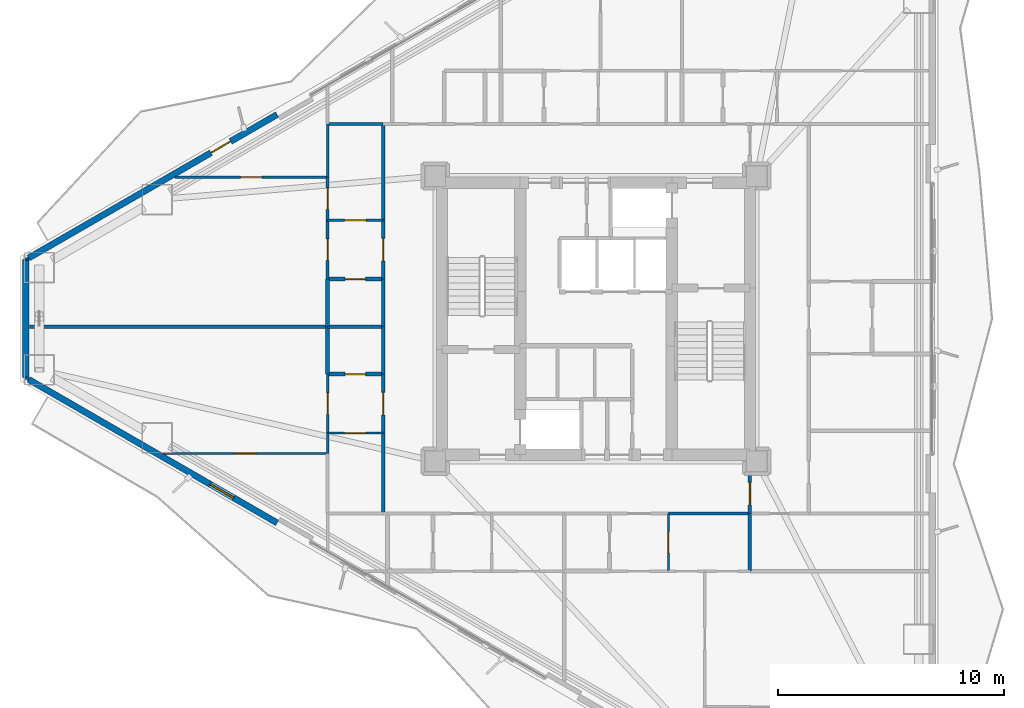
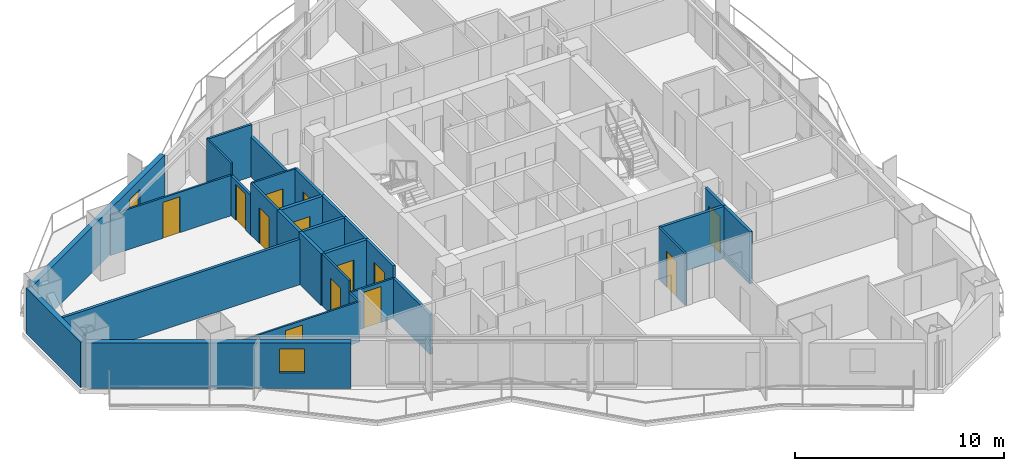
# One storey, part 12 of 18: 31 walls, 14 doors, 1 window, 15 openings.
"""IFC4 building model written with IfcOpenShell, lengths in metres."""

from ifc_helpers import new_model, si_unit, direction, frame, frame_2d, origin, place, context, subcontext, project, spatial, rectangle, extrude, material, layer, layer_set, type_object, element, fill, save


model = new_model("IFC4")

# Units and contexts
model_context = context("Model", 3, precision=1e-05, world=origin(), true_north=direction((0.0, 1.0)))
body_context = subcontext(model_context, "Body", "Model", "MODEL_VIEW")
ifc_project = project(units=[si_unit("LENGTHUNIT", "METRE"), si_unit("AREAUNIT", "SQUARE_METRE"), si_unit("VOLUMEUNIT", "CUBIC_METRE"), si_unit("PLANEANGLEUNIT", "RADIAN"), si_unit("MASSUNIT", "GRAM", prefix="KILO")], contexts=[model_context])

# Site, building, storey
site_placement = place(None, origin())
site = spatial("IfcSite", under=ifc_project, at=site_placement, CompositionType="ELEMENT")
building_placement = place(site_placement, origin())
building = spatial("IfcBuilding", under=site, at=building_placement, Name="Mersakhor Tower and Convention Hall", CompositionType="ELEMENT")
storey_placement = place(building_placement, frame((0.0, 0.0, 55.5)))
storey = spatial("IfcBuildingStorey", under=building, at=storey_placement, Name="L15", CompositionType="ELEMENT", Elevation=55.5)

# Wall
ifc_material_1 = material(Name="Precast concrete C45/55", Category="concrete")
ifc_layer_1 = layer(ifc_material_1, 0.27490234375)
ifc_layer_set_1 = layer_set([ifc_layer_1], Name="Precast concrete C45/55")
wall_type_1 = type_object("IfcWallType", Name="WL-EXT-275", PredefinedType="SOLIDWALL", material=ifc_layer_set_1)
wall_1_placement = place(storey_placement, frame((3.81298828125, 24.144287109375, 0.0), z_axis=(0.0, 0.0, 1.0), x_axis=(0.0, 1.0, 0.0)))
element("IfcWall", 1, at=wall_1_placement, inside=storey, type_object=wall_type_1, Name="L15 Chamfer Braced Spandrel Wall C3", PredefinedType="SOLIDWALL", context=body_context, shape_type="SweptSolid", body=[
    extrude(rectangle(XDim=5.21142578125, YDim=0.27490234375, at=frame_2d((2.605712890625, 0.0))), origin(), (0.0, 0.0, 1.0), 2.659912109375),
])

# Wall, opening, door
wall_2_placement = place(storey_placement, frame((3.943115234375, 29.4306640625, 0.0), z_axis=(0.0, 0.0, 1.0), x_axis=(0.866027105532, 0.499997052475, 0.0)))
wall_2 = element("IfcWall", 2, at=wall_2_placement, inside=storey, type_object=wall_type_1, Name="L15 Exterior Facade Wall F1-B1", PredefinedType="SOLIDWALL", context=body_context, shape_type="SweptSolid", body=[
    extrude(rectangle(XDim=12.6728515625, YDim=0.27490234375, at=frame_2d((6.33642578125, 0.0))), origin(), (0.0, 0.0, 1.0), 2.659912109375),
])
opening_1_placement = place(wall_2_placement, frame((9.298095703125, 0.0, 0.0)))
opening_1 = element("IfcOpeningElement", 3, at=opening_1_placement, cuts=wall_2, Name="Opening BD-01", PredefinedType="OPENING", context=body_context, shape_type="SweptSolid", body=[
    extrude(rectangle(XDim=1.0, YDim=2.10009765625, at=frame_2d((0.5, 1.050048828125))), frame((0.0, 0.1474609375, 0.0), z_axis=(0.0, -1.0, 0.0), x_axis=(1.0, 0.0, 0.0)), (0.0, 0.0, 1.0), 0.294921875),
])
ifc_material_2 = material(Name="Thermally broken dark aluminium and safety glass", Category="aluminium")
door_type_1 = type_object("IfcDoorType", Name="DR-BAL-100x210", OperationType="NOTDEFINED", PredefinedType="DOOR", material=ifc_material_2)
door_1_placement = place(opening_1_placement, origin())
door_1 = element("IfcDoor", 4, at=door_1_placement, inside=storey, type_object=door_type_1, Name="L15 Balcony Terrace Door F1-B1", OperationType="SINGLE_SWING_LEFT", OverallHeight=2.10009765625, OverallWidth=1.0, PredefinedType="DOOR", context=body_context, shape_type="SweptSolid", body=[
    extrude(rectangle(XDim=1.0, YDim=2.10009765625, at=frame_2d((0.5, 1.050048828125))), frame((0.0, 0.02490234375, 0.0), z_axis=(0.0, -1.0, 0.0), x_axis=(1.0, 0.0, 0.0)), (0.0, 0.0, 1.0), 0.050048828125),
])
fill(opening_1, door_1)

# Wall, opening, window
wall_3_placement = place(storey_placement, frame((14.918212890625, 17.73291015625, 0.0), z_axis=(0.0, 0.0, 1.0), x_axis=(-0.866027105532, 0.499997052475, 0.0)))
wall_3 = element("IfcWall", 5, at=wall_3_placement, inside=storey, type_object=wall_type_1, Name="L15 Exterior Facade Wall F3-B3", PredefinedType="SOLIDWALL", context=body_context, shape_type="SweptSolid", body=[
    extrude(rectangle(XDim=12.6728515625, YDim=0.27490234375, at=frame_2d((6.33642578125, 0.0))), origin(), (0.0, 0.0, 1.0), 2.659912109375),
])
opening_2_placement = place(wall_3_placement, frame((2.216064453125, 0.0, 0.89990234375)))
opening_2 = element("IfcOpeningElement", 6, at=opening_2_placement, cuts=wall_3, Name="Opening W-01", PredefinedType="OPENING", context=body_context, shape_type="SweptSolid", body=[
    extrude(rectangle(XDim=1.199951171875, YDim=1.39990234375, at=frame_2d((0.60009765625, 0.699951171875))), frame((0.0, 0.1474609375, 0.0), z_axis=(0.0, -1.0, 0.0), x_axis=(1.0, 0.0, 0.0)), (0.0, 0.0, 1.0), 0.294921875),
])
ifc_material_3 = material(Name="Dark solar low-E glazed aluminium window", Category="aluminium")
window_type = type_object("IfcWindowType", Name="WN-RES-120x150", PartitioningType="SINGLE_PANEL", PredefinedType="WINDOW", material=ifc_material_3)
window_placement = place(opening_2_placement, origin())
window = element("IfcWindow", 7, at=window_placement, inside=storey, type_object=window_type, Name="L15 Bedroom Facade Window F3-B3-1", OverallHeight=1.39990234375, OverallWidth=1.199951171875, PartitioningType="SINGLE_PANEL", PredefinedType="WINDOW", context=body_context, shape_type="SweptSolid", body=[
    extrude(rectangle(XDim=1.199951171875, YDim=1.39990234375, at=frame_2d((0.60009765625, 0.699951171875))), frame((0.0, 0.030029296875, 0.0), z_axis=(0.0, -1.0, 0.0), x_axis=(1.0, 0.0, 0.0)), (0.0, 0.0, 1.0), 0.06005859375),
])
fill(opening_2, window)

# Wall, opening, door
ifc_material_4 = material(Name="Moisture-resistant acoustic drywall studwork", Category="other")
ifc_layer_2 = layer(ifc_material_4, 0.175048828125)
ifc_layer_set_2 = layer_set([ifc_layer_2], Name="Moisture-resistant acoustic drywall studwork")
wall_type_2 = type_object("IfcWallType", Name="WL-PLM-175", PredefinedType="PLUMBINGWALL", material=ifc_layer_set_2)
wall_4_placement = place(storey_placement, frame((19.60009765625, 28.5, 0.0), z_axis=(0.0, 0.0, 1.0), x_axis=(-1.0, 0.0, 0.0)))
wall_4 = element("IfcWall", 8, at=wall_4_placement, inside=storey, type_object=wall_type_2, Name="L15 Interior Partition Wall P-085", PredefinedType="PLUMBINGWALL", context=body_context, shape_type="SweptSolid", body=[
    extrude(rectangle(XDim=2.4501953125, YDim=0.175048828125, at=frame_2d((1.22509765625, 0.0))), origin(), (0.0, 0.0, 1.0), 3.0400390625),
])
opening_3_placement = place(wall_4_placement, frame((0.77490234375, 0.0, 0.0)))
opening_3 = element("IfcOpeningElement", 9, at=opening_3_placement, cuts=wall_4, Name="Opening WD-01", PredefinedType="OPENING", context=body_context, shape_type="SweptSolid", body=[
    extrude(rectangle(XDim=0.89990234375, YDim=2.10009765625, at=frame_2d((0.449951171875, 1.050048828125))), frame((0.0, 0.097412109375, 0.0), z_axis=(0.0, -1.0, 0.0), x_axis=(1.0, 0.0, 0.0)), (0.0, 0.0, 1.0), 0.195068359375),
])
ifc_material_5 = material(Name="Solid-core hardwood leaf in painted steel frame", Category="steel")
door_type_2 = type_object("IfcDoorType", Name="DR-INT-WET-090x210", OperationType="NOTDEFINED", PredefinedType="DOOR", material=ifc_material_5)
door_2_placement = place(opening_3_placement, origin())
door_2 = element("IfcDoor", 10, at=door_2_placement, inside=storey, type_object=door_type_2, Name="L15 L15 Flat W6 Apartment Hall to L15 Flat W6 Bathroom Door", OperationType="SINGLE_SWING_RIGHT", OverallHeight=2.10009765625, OverallWidth=0.89990234375, PredefinedType="DOOR", context=body_context, shape_type="SweptSolid", body=[
    extrude(rectangle(XDim=0.89990234375, YDim=2.10009765625, at=frame_2d((0.449951171875, 1.050048828125))), frame((0.0, 0.02490234375, 0.0), z_axis=(0.0, -1.0, 0.0), x_axis=(1.0, 0.0, 0.0)), (0.0, 0.0, 1.0), 0.050048828125),
])
fill(opening_3, door_2)

wall_5_placement = place(storey_placement, frame((17.14990234375, 24.300048828125, 0.0), z_axis=(0.0, 0.0, 1.0), x_axis=(1.0, 0.0, 0.0)))
wall_5 = element("IfcWall", 11, at=wall_5_placement, inside=storey, type_object=wall_type_2, Name="L15 Interior Partition Wall P-087", PredefinedType="PLUMBINGWALL", context=body_context, shape_type="SweptSolid", body=[
    extrude(rectangle(XDim=2.4501953125, YDim=0.175048828125, at=frame_2d((1.22509765625, 0.0))), origin(), (0.0, 0.0, 1.0), 3.0400390625),
])
opening_4_placement = place(wall_5_placement, frame((0.77490234375, 0.0, 0.0)))
opening_4 = element("IfcOpeningElement", 12, at=opening_4_placement, cuts=wall_5, Name="Opening WD-01", PredefinedType="OPENING", context=body_context, shape_type="SweptSolid", body=[
    extrude(rectangle(XDim=0.89990234375, YDim=2.10009765625, at=frame_2d((0.449951171875, 1.050048828125))), frame((0.0, 0.097412109375, 0.0), z_axis=(0.0, -1.0, 0.0), x_axis=(1.0, 0.0, 0.0)), (0.0, 0.0, 1.0), 0.195068359375),
])
door_3_placement = place(opening_4_placement, origin())
door_3 = element("IfcDoor", 13, at=door_3_placement, inside=storey, type_object=door_type_2, Name="L15 L15 Flat W7 Apartment Hall to L15 Flat W7 Bathroom Door", OperationType="SINGLE_SWING_LEFT", OverallHeight=2.10009765625, OverallWidth=0.89990234375, PredefinedType="DOOR", context=body_context, shape_type="SweptSolid", body=[
    extrude(rectangle(XDim=0.89990234375, YDim=2.10009765625, at=frame_2d((0.449951171875, 1.050048828125))), frame((0.0, 0.02490234375, 0.0), z_axis=(0.0, -1.0, 0.0), x_axis=(1.0, 0.0, 0.0)), (0.0, 0.0, 1.0), 0.050048828125),
])
fill(opening_4, door_3)

# Walls
wall_6_placement = place(storey_placement, frame((17.14990234375, 26.39990234375, 0.0), z_axis=(0.0, 0.0, 1.0), x_axis=(0.0, 1.0, 0.0)))
element("IfcWall", 14, at=wall_6_placement, inside=storey, type_object=wall_type_2, Name="L15 Interior Partition Wall P-111", PredefinedType="PLUMBINGWALL", context=body_context, shape_type="SweptSolid", body=[
    extrude(rectangle(XDim=2.10009765625, YDim=0.175048828125, at=frame_2d((1.050048828125, 0.0))), origin(), (0.0, 0.0, 1.0), 3.0400390625),
])
wall_7_placement = place(storey_placement, frame((17.14990234375, 24.300048828125, 0.0), z_axis=(0.0, 0.0, 1.0), x_axis=(0.0, 1.0, 0.0)))
element("IfcWall", 15, at=wall_7_placement, inside=storey, type_object=wall_type_2, Name="L15 Interior Partition Wall P-116", PredefinedType="PLUMBINGWALL", context=body_context, shape_type="SweptSolid", body=[
    extrude(rectangle(XDim=2.099853515625, YDim=0.175048828125, at=frame_2d((1.0498046875, 0.0))), origin(), (0.0, 0.0, 1.0), 3.0400390625),
])

# Wall, opening, door
ifc_material_6 = material(Name="Lightweight gypsum partition", Category="other")
ifc_layer_3 = layer(ifc_material_6, 0.10009765625)
ifc_layer_set_3 = layer_set([ifc_layer_3], Name="Lightweight gypsum partition")
wall_type_3 = type_object("IfcWallType", Name="WL-PRT-100", PredefinedType="PARTITIONING", material=ifc_layer_set_3)
wall_8_placement = place(storey_placement, frame((32.199951171875, 18.14990234375, 0.0), z_axis=(0.0, 0.0, 1.0), x_axis=(0.0, -1.0, 0.0)))
wall_8 = element("IfcWall", 16, at=wall_8_placement, inside=storey, type_object=wall_type_3, Name="L15 Interior Partition Wall P-082", PredefinedType="PARTITIONING", context=body_context, shape_type="SweptSolid", body=[
    extrude(rectangle(XDim=2.5498046875, YDim=0.10009765625, at=frame_2d((1.27490234375, 0.0))), origin(), (0.0, 0.0, 1.0), 3.0400390625),
])
opening_5_placement = place(wall_8_placement, frame((0.800048828125, 0.0, 0.0)))
opening_5 = element("IfcOpeningElement", 17, at=opening_5_placement, cuts=wall_8, Name="Opening RD-01", PredefinedType="OPENING", context=body_context, shape_type="SweptSolid", body=[
    extrude(rectangle(XDim=0.949951171875, YDim=2.10009765625, at=frame_2d((0.47509765625, 1.050048828125))), frame((0.0, 0.06005859375, 0.0), z_axis=(0.0, -1.0, 0.0), x_axis=(1.0, 0.0, 0.0)), (0.0, 0.0, 1.0), 0.1201171875),
])
ifc_material_7 = material(Name="Solid-core hardwood leaf in painted steel frame", Category="steel")
door_type_3 = type_object("IfcDoorType", Name="DR-INT-RM-095x210", OperationType="NOTDEFINED", PredefinedType="DOOR", material=ifc_material_7)
door_4_placement = place(opening_5_placement, origin())
door_4 = element("IfcDoor", 18, at=door_4_placement, inside=storey, type_object=door_type_3, Name="L15 L15 Flat S5 Apartment Hall to L15 Flat S5 Kitchen Door", OperationType="SINGLE_SWING_RIGHT", OverallHeight=2.10009765625, OverallWidth=0.949951171875, PredefinedType="DOOR", context=body_context, shape_type="SweptSolid", body=[
    extrude(rectangle(XDim=0.949951171875, YDim=2.10009765625, at=frame_2d((0.47509765625, 1.050048828125))), frame((0.0, 0.02490234375, 0.0), z_axis=(0.0, -1.0, 0.0), x_axis=(1.0, 0.0, 0.0)), (0.0, 0.0, 1.0), 0.050048828125),
])
fill(opening_5, door_4)

wall_9_placement = place(storey_placement, frame((17.14990234375, 31.10009765625, 0.0), z_axis=(0.0, 0.0, 1.0), x_axis=(1.0, 0.0, 0.0)))
wall_9 = element("IfcWall", 19, at=wall_9_placement, inside=storey, type_object=wall_type_3, Name="L15 Interior Partition Wall P-084", PredefinedType="PARTITIONING", context=body_context, shape_type="SweptSolid", body=[
    extrude(rectangle(XDim=2.4501953125, YDim=0.10009765625, at=frame_2d((1.22509765625, 0.0))), origin(), (0.0, 0.0, 1.0), 3.0400390625),
])
opening_6_placement = place(wall_9_placement, frame((0.75, 0.0, 0.0)))
opening_6 = element("IfcOpeningElement", 20, at=opening_6_placement, cuts=wall_9, Name="Opening RD-01", PredefinedType="OPENING", context=body_context, shape_type="SweptSolid", body=[
    extrude(rectangle(XDim=0.949951171875, YDim=2.10009765625, at=frame_2d((0.47509765625, 1.050048828125))), frame((0.0, 0.06005859375, 0.0), z_axis=(0.0, -1.0, 0.0), x_axis=(1.0, 0.0, 0.0)), (0.0, 0.0, 1.0), 0.1201171875),
])
door_5_placement = place(opening_6_placement, origin())
door_5 = element("IfcDoor", 21, at=door_5_placement, inside=storey, type_object=door_type_3, Name="L15 L15 Flat W6 Apartment Hall to L15 Flat W6 Kitchen Door", OperationType="SINGLE_SWING_LEFT", OverallHeight=2.10009765625, OverallWidth=0.949951171875, PredefinedType="DOOR", context=body_context, shape_type="SweptSolid", body=[
    extrude(rectangle(XDim=0.949951171875, YDim=2.10009765625, at=frame_2d((0.47509765625, 1.050048828125))), frame((0.0, 0.02490234375, 0.0), z_axis=(0.0, -1.0, 0.0), x_axis=(1.0, 0.0, 0.0)), (0.0, 0.0, 1.0), 0.050048828125),
])
fill(opening_6, door_5)

wall_10_placement = place(storey_placement, frame((17.14990234375, 21.699951171875, 0.0), z_axis=(0.0, 0.0, 1.0), x_axis=(0.0, 1.0, 0.0)))
wall_10 = element("IfcWall", 22, at=wall_10_placement, inside=storey, type_object=wall_type_3, Name="L15 Interior Partition Wall P-086", PredefinedType="PARTITIONING", context=body_context, shape_type="SweptSolid", body=[
    extrude(rectangle(XDim=2.60009765625, YDim=0.10009765625, at=frame_2d((1.300048828125, 0.0))), origin(), (0.0, 0.0, 1.0), 3.0400390625),
])
opening_7_placement = place(wall_10_placement, frame((0.824951171875, 0.0, 0.0)))
opening_7 = element("IfcOpeningElement", 23, at=opening_7_placement, cuts=wall_10, Name="Opening RD-01", PredefinedType="OPENING", context=body_context, shape_type="SweptSolid", body=[
    extrude(rectangle(XDim=0.949951171875, YDim=2.10009765625, at=frame_2d((0.47509765625, 1.050048828125))), frame((0.0, 0.06005859375, 0.0), z_axis=(0.0, -1.0, 0.0), x_axis=(1.0, 0.0, 0.0)), (0.0, 0.0, 1.0), 0.1201171875),
])
door_6_placement = place(opening_7_placement, origin())
door_6 = element("IfcDoor", 24, at=door_6_placement, inside=storey, type_object=door_type_3, Name="L15 L15 Flat W7 Apartment Hall to L15 Flat W7 Living and Dining Room Door", OperationType="SINGLE_SWING_LEFT", OverallHeight=2.10009765625, OverallWidth=0.949951171875, PredefinedType="DOOR", context=body_context, shape_type="SweptSolid", body=[
    extrude(rectangle(XDim=0.949951171875, YDim=2.10009765625, at=frame_2d((0.47509765625, 1.050048828125))), frame((0.0, 0.02490234375, 0.0), z_axis=(0.0, -1.0, 0.0), x_axis=(1.0, 0.0, 0.0)), (0.0, 0.0, 1.0), 0.050048828125),
])
fill(opening_7, door_6)

wall_11_placement = place(storey_placement, frame((19.60009765625, 21.699951171875, 0.0), z_axis=(0.0, 0.0, 1.0), x_axis=(-1.0, 0.0, 0.0)))
wall_11 = element("IfcWall", 25, at=wall_11_placement, inside=storey, type_object=wall_type_3, Name="L15 Interior Partition Wall P-088", PredefinedType="PARTITIONING", context=body_context, shape_type="SweptSolid", body=[
    extrude(rectangle(XDim=2.4501953125, YDim=0.10009765625, at=frame_2d((1.22509765625, 0.0))), origin(), (0.0, 0.0, 1.0), 2.33740234375),
])
opening_8_placement = place(wall_11_placement, frame((0.75, 0.0, 0.0)))
opening_8 = element("IfcOpeningElement", 26, at=opening_8_placement, cuts=wall_11, Name="Opening RD-01", PredefinedType="OPENING", context=body_context, shape_type="SweptSolid", body=[
    extrude(rectangle(XDim=0.949951171875, YDim=2.10009765625, at=frame_2d((0.47509765625, 1.050048828125))), frame((0.0, 0.06005859375, 0.0), z_axis=(0.0, -1.0, 0.0), x_axis=(1.0, 0.0, 0.0)), (0.0, 0.0, 1.0), 0.1201171875),
])
door_7_placement = place(opening_8_placement, origin())
door_7 = element("IfcDoor", 27, at=door_7_placement, inside=storey, type_object=door_type_3, Name="L15 L15 Flat W7 Apartment Hall to L15 Flat W7 Kitchen Door", OperationType="SINGLE_SWING_RIGHT", OverallHeight=2.10009765625, OverallWidth=0.949951171875, PredefinedType="DOOR", context=body_context, shape_type="SweptSolid", body=[
    extrude(rectangle(XDim=0.949951171875, YDim=2.10009765625, at=frame_2d((0.47509765625, 1.050048828125))), frame((0.0, 0.02490234375, 0.0), z_axis=(0.0, -1.0, 0.0), x_axis=(1.0, 0.0, 0.0)), (0.0, 0.0, 1.0), 0.050048828125),
])
fill(opening_8, door_7)

# Walls
wall_12_placement = place(storey_placement, frame((17.14990234375, 33.0, 0.0), z_axis=(0.0, 0.0, 1.0), x_axis=(0.0, 1.0, 0.0)))
element("IfcWall", 28, at=wall_12_placement, inside=storey, type_object=wall_type_3, Name="L15 Interior Partition Wall P-114", PredefinedType="PARTITIONING", context=body_context, shape_type="SweptSolid", body=[
    extrude(rectangle(XDim=2.35009765625, YDim=0.10009765625, at=frame_2d((1.175048828125, 0.0))), origin(), (0.0, 0.0, 1.0), 3.0400390625),
])
wall_13_placement = place(storey_placement, frame((17.14990234375, 20.800048828125, 0.0), z_axis=(0.0, 0.0, 1.0), x_axis=(0.0, 1.0, 0.0)))
element("IfcWall", 29, at=wall_13_placement, inside=storey, type_object=wall_type_3, Name="L15 Interior Partition Wall P-118", PredefinedType="PARTITIONING", context=body_context, shape_type="SweptSolid", body=[
    extrude(rectangle(XDim=0.89990234375, YDim=0.10009765625, at=frame_2d((0.449951171875, 0.0))), origin(), (0.0, 0.0, 1.0), 2.33740234375),
])

# Wall, opening, door
wall_14_placement = place(storey_placement, frame((10.4189453125, 33.0, 0.0), z_axis=(0.0, 0.0, 1.0), x_axis=(1.0, 0.0, 0.0)))
wall_14 = element("IfcWall", 30, at=wall_14_placement, inside=storey, type_object=wall_type_3, Name="L15 Interior Partition Wall P-140", PredefinedType="PARTITIONING", context=body_context, shape_type="SweptSolid", body=[
    extrude(rectangle(XDim=6.73095703125, YDim=0.10009765625, at=frame_2d((3.365478515625, 0.0))), origin(), (0.0, 0.0, 1.0), 2.364990234375),
])
opening_9_placement = place(wall_14_placement, frame((2.890380859375, 0.0, 0.0)))
opening_9 = element("IfcOpeningElement", 31, at=opening_9_placement, cuts=wall_14, Name="Opening RD-01", PredefinedType="OPENING", context=body_context, shape_type="SweptSolid", body=[
    extrude(rectangle(XDim=0.949951171875, YDim=2.10009765625, at=frame_2d((0.47509765625, 1.050048828125))), frame((0.0, 0.06005859375, 0.0), z_axis=(0.0, -1.0, 0.0), x_axis=(1.0, 0.0, 0.0)), (0.0, 0.0, 1.0), 0.1201171875),
])
door_8_placement = place(opening_9_placement, origin())
door_8 = element("IfcDoor", 32, at=door_8_placement, inside=storey, type_object=door_type_3, Name="L15 L15 Flat W6 Living and Dining Room to L15 Flat W6 Bedroom 1 Door", OperationType="SINGLE_SWING_RIGHT", OverallHeight=2.10009765625, OverallWidth=0.949951171875, PredefinedType="DOOR", context=body_context, shape_type="SweptSolid", body=[
    extrude(rectangle(XDim=0.949951171875, YDim=2.10009765625, at=frame_2d((0.47509765625, 1.050048828125))), frame((0.0, 0.02490234375, 0.0), z_axis=(0.0, -1.0, 0.0), x_axis=(1.0, 0.0, 0.0)), (0.0, 0.0, 1.0), 0.050048828125),
])
fill(opening_9, door_8)

# Wall
wall_15_placement = place(storey_placement, frame((3.81298828125, 29.35595703125, 0.0), z_axis=(0.0, 0.0, 1.0), x_axis=(0.866131372301, 0.499816412211, 0.0)))
element("IfcWall", 33, at=wall_15_placement, inside=storey, type_object=wall_type_3, Name="L15 Interior Partition Wall P-142", PredefinedType="PARTITIONING", context=body_context, shape_type="SweptSolid", body=[
    extrude(rectangle(XDim=0.14990234375, YDim=0.10009765625, at=frame_2d((0.074951171875, 0.0))), origin(), (0.0, 0.0, 1.0), 3.0400390625),
])

# Wall, opening, door
wall_16_placement = place(storey_placement, frame((17.14990234375, 20.800048828125, 0.0), z_axis=(0.0, 0.0, 1.0), x_axis=(-1.0, 0.0, 0.0)))
wall_16 = element("IfcWall", 34, at=wall_16_placement, inside=storey, type_object=wall_type_3, Name="L15 Interior Partition Wall P-144", PredefinedType="PARTITIONING", context=body_context, shape_type="SweptSolid", body=[
    extrude(rectangle(XDim=7.25048828125, YDim=0.10009765625, at=frame_2d((3.625244140625, 0.0))), origin(), (0.0, 0.0, 1.0), 2.364990234375),
])
opening_10_placement = place(wall_16_placement, frame((3.150390625, 0.0, 0.0)))
opening_10 = element("IfcOpeningElement", 35, at=opening_10_placement, cuts=wall_16, Name="Opening RD-01", PredefinedType="OPENING", context=body_context, shape_type="SweptSolid", body=[
    extrude(rectangle(XDim=0.949951171875, YDim=2.10009765625, at=frame_2d((0.47509765625, 1.050048828125))), frame((0.0, 0.06005859375, 0.0), z_axis=(0.0, -1.0, 0.0), x_axis=(1.0, 0.0, 0.0)), (0.0, 0.0, 1.0), 0.1201171875),
])
door_9_placement = place(opening_10_placement, origin())
door_9 = element("IfcDoor", 36, at=door_9_placement, inside=storey, type_object=door_type_3, Name="L15 L15 Flat W7 Living and Dining Room to L15 Flat W7 Bedroom 1 Door", OperationType="SINGLE_SWING_LEFT", OverallHeight=2.10009765625, OverallWidth=0.949951171875, PredefinedType="DOOR", context=body_context, shape_type="SweptSolid", body=[
    extrude(rectangle(XDim=0.949951171875, YDim=2.10009765625, at=frame_2d((0.47509765625, 1.050048828125))), frame((0.0, 0.02490234375, 0.0), z_axis=(0.0, -1.0, 0.0), x_axis=(1.0, 0.0, 0.0)), (0.0, 0.0, 1.0), 0.050048828125),
])
fill(opening_10, door_9)

ifc_material_8 = material(Name="Gypsum board acoustic partition", Category="other")
ifc_layer_4 = layer(ifc_material_8, 0.125)
ifc_layer_set_4 = layer_set([ifc_layer_4], Name="Gypsum board acoustic partition")
wall_type_4 = type_object("IfcWallType", Name="WL-PRT-125", PredefinedType="PARTITIONING", material=ifc_layer_set_4)
wall_17_placement = place(storey_placement, frame((17.14990234375, 28.5, 0.0), z_axis=(0.0, 0.0, 1.0), x_axis=(0.0, 1.0, 0.0)))
wall_17 = element("IfcWall", 37, at=wall_17_placement, inside=storey, type_object=wall_type_4, Name="L15 Interior Partition Wall P-083", PredefinedType="PARTITIONING", context=body_context, shape_type="SweptSolid", body=[
    extrude(rectangle(XDim=2.60009765625, YDim=0.125, at=frame_2d((1.300048828125, 0.0))), origin(), (0.0, 0.0, 1.0), 3.0400390625),
])
opening_11_placement = place(wall_17_placement, frame((0.824951171875, 0.0, 0.0)))
opening_11 = element("IfcOpeningElement", 38, at=opening_11_placement, cuts=wall_17, Name="Opening RD-01", PredefinedType="OPENING", context=body_context, shape_type="SweptSolid", body=[
    extrude(rectangle(XDim=0.949951171875, YDim=2.10009765625, at=frame_2d((0.47509765625, 1.050048828125))), frame((0.0, 0.072509765625, 0.0), z_axis=(0.0, -1.0, 0.0), x_axis=(1.0, 0.0, 0.0)), (0.0, 0.0, 1.0), 0.14501953125),
])
door_10_placement = place(opening_11_placement, origin())
door_10 = element("IfcDoor", 39, at=door_10_placement, inside=storey, type_object=door_type_3, Name="L15 L15 Flat W6 Apartment Hall to L15 Flat W6 Living and Dining Room Door", OperationType="SINGLE_SWING_RIGHT", OverallHeight=2.10009765625, OverallWidth=0.949951171875, PredefinedType="DOOR", context=body_context, shape_type="SweptSolid", body=[
    extrude(rectangle(XDim=0.949951171875, YDim=2.10009765625, at=frame_2d((0.47509765625, 1.050048828125))), frame((0.0, 0.02490234375, 0.0), z_axis=(0.0, -1.0, 0.0), x_axis=(1.0, 0.0, 0.0)), (0.0, 0.0, 1.0), 0.050048828125),
])
fill(opening_11, door_10)

wall_18_placement = place(storey_placement, frame((17.14990234375, 31.10009765625, 0.0), z_axis=(0.0, 0.0, 1.0), x_axis=(0.0, 1.0, 0.0)))
wall_18 = element("IfcWall", 40, at=wall_18_placement, inside=storey, type_object=wall_type_4, Name="L15 Interior Partition Wall P-113", PredefinedType="PARTITIONING", context=body_context, shape_type="SweptSolid", body=[
    extrude(rectangle(XDim=1.89990234375, YDim=0.125, at=frame_2d((0.949951171875, 0.0))), origin(), (0.0, 0.0, 1.0), 2.33740234375),
])
opening_12_placement = place(wall_18_placement, frame((0.47509765625, 0.0, 0.0)))
opening_12 = element("IfcOpeningElement", 41, at=opening_12_placement, cuts=wall_18, Name="Opening RD-01", PredefinedType="OPENING", context=body_context, shape_type="SweptSolid", body=[
    extrude(rectangle(XDim=0.949951171875, YDim=2.10009765625, at=frame_2d((0.47509765625, 1.050048828125))), frame((0.0, 0.072509765625, 0.0), z_axis=(0.0, -1.0, 0.0), x_axis=(1.0, 0.0, 0.0)), (0.0, 0.0, 1.0), 0.14501953125),
])
door_11_placement = place(opening_12_placement, origin())
door_11 = element("IfcDoor", 42, at=door_11_placement, inside=storey, type_object=door_type_3, Name="L15 L15 Flat W6 Kitchen to L15 Flat W6 Living and Dining Room Door", OperationType="SINGLE_SWING_LEFT", OverallHeight=2.10009765625, OverallWidth=0.949951171875, PredefinedType="DOOR", context=body_context, shape_type="SweptSolid", body=[
    extrude(rectangle(XDim=0.949951171875, YDim=2.10009765625, at=frame_2d((0.47509765625, 1.050048828125))), frame((0.0, 0.02490234375, 0.0), z_axis=(0.0, -1.0, 0.0), x_axis=(1.0, 0.0, 0.0)), (0.0, 0.0, 1.0), 0.050048828125),
])
fill(opening_12, door_11)

# Walls
wall_19_placement = place(storey_placement, frame((17.14990234375, 35.35009765625, 0.0), z_axis=(0.0, 0.0, 1.0), x_axis=(1.0, 0.0, 0.0)))
element("IfcWall", 43, at=wall_19_placement, inside=storey, type_object=wall_type_4, Name="L15 Interior Partition Wall P-115", PredefinedType="PARTITIONING", context=body_context, shape_type="SweptSolid", body=[
    extrude(rectangle(XDim=2.4501953125, YDim=0.125, at=frame_2d((1.22509765625, 0.0))), origin(), (0.0, 0.0, 1.0), 3.0400390625),
])
wall_20_placement = place(storey_placement, frame((3.94287109375, 24.069091796875, 0.0), z_axis=(0.0, 0.0, 1.0), x_axis=(-0.866131372301, 0.499816412211, 0.0)))
element("IfcWall", 44, at=wall_20_placement, inside=storey, type_object=wall_type_4, Name="L15 Interior Partition Wall P-145", PredefinedType="PARTITIONING", context=body_context, shape_type="SweptSolid", body=[
    extrude(rectangle(XDim=0.14990234375, YDim=0.125, at=frame_2d((0.074951171875, 0.0))), origin(), (0.0, 0.0, 1.0), 3.0400390625),
])

# Wall, opening, door
ifc_material_9 = material(Name="Fire-rated gypsum board stud partition", Category="other")
ifc_layer_5 = layer(ifc_material_9, 0.14990234375)
ifc_layer_set_5 = layer_set([ifc_layer_5], Name="Fire-rated gypsum board stud partition")
wall_type_5 = type_object("IfcWallType", Name="WL-PRT-150", PredefinedType="PARTITIONING", material=ifc_layer_set_5)
wall_21_placement = place(storey_placement, frame((35.800048828125, 19.89990234375, 0.0), z_axis=(0.0, 0.0, 1.0), x_axis=(0.0, -1.0, 0.0)))
wall_21 = element("IfcWall", 45, at=wall_21_placement, inside=storey, type_object=wall_type_5, Name="L15 Interior Partition Wall P-025", PredefinedType="PARTITIONING", context=body_context, shape_type="SweptSolid", body=[
    extrude(rectangle(XDim=1.75, YDim=0.14990234375, at=frame_2d((0.875, 0.0))), origin(), (0.0, 0.0, 1.0), 3.0400390625),
])
opening_13_placement = place(wall_21_placement, frame((0.375, 0.0, 0.0)))
opening_13 = element("IfcOpeningElement", 46, at=opening_13_placement, cuts=wall_21, Name="Opening FD-01", PredefinedType="OPENING", context=body_context, shape_type="SweptSolid", body=[
    extrude(rectangle(XDim=1.0, YDim=2.14990234375, at=frame_2d((0.5, 1.074951171875))), frame((0.0, 0.0849609375, 0.0), z_axis=(0.0, -1.0, 0.0), x_axis=(1.0, 0.0, 0.0)), (0.0, 0.0, 1.0), 0.169921875),
])
ifc_material_10 = material(Name="Fire-rated hardwood leaf and painted steel frame", Category="steel")
door_type_4 = type_object("IfcDoorType", Name="DR-INT-FLT-100x215", OperationType="NOTDEFINED", PredefinedType="DOOR", material=ifc_material_10)
door_12_placement = place(opening_13_placement, origin())
door_12 = element("IfcDoor", 47, at=door_12_placement, inside=storey, type_object=door_type_4, Name="L15 Ring Corridor Fire Door", OperationType="SINGLE_SWING_LEFT", OverallHeight=2.14990234375, OverallWidth=1.0, PredefinedType="DOOR", context=body_context, shape_type="SweptSolid", body=[
    extrude(rectangle(XDim=1.0, YDim=2.14990234375, at=frame_2d((0.5, 1.074951171875))), frame((0.0, 0.02490234375, 0.0), z_axis=(0.0, -1.0, 0.0), x_axis=(1.0, 0.0, 0.0)), (0.0, 0.0, 1.0), 0.050048828125),
])
fill(opening_13, door_12)

# Walls
wall_22_placement = place(storey_placement, frame((35.800048828125, 18.14990234375, 0.0), z_axis=(0.0, 0.0, 1.0), x_axis=(-1.0, 0.0, 0.0)))
element("IfcWall", 48, at=wall_22_placement, inside=storey, type_object=wall_type_5, Name="L15 Interior Partition Wall P-026", PredefinedType="PARTITIONING", context=body_context, shape_type="SweptSolid", body=[
    extrude(rectangle(XDim=3.60009765625, YDim=0.14990234375, at=frame_2d((1.800048828125, 0.0))), origin(), (0.0, 0.0, 1.0), 3.0400390625),
])
wall_23_placement = place(storey_placement, frame((19.60009765625, 18.14990234375, 0.0), z_axis=(0.0, 0.0, 1.0), x_axis=(0.0, 1.0, 0.0)))
element("IfcWall", 49, at=wall_23_placement, inside=storey, type_object=wall_type_5, Name="L15 Interior Partition Wall P-033", PredefinedType="PARTITIONING", context=body_context, shape_type="SweptSolid", body=[
    extrude(rectangle(XDim=3.550048828125, YDim=0.14990234375, at=frame_2d((1.77490234375, 0.0))), origin(), (0.0, 0.0, 1.0), 2.33740234375),
])

# Wall, opening, door
wall_24_placement = place(storey_placement, frame((19.60009765625, 21.699951171875, 0.0), z_axis=(0.0, 0.0, 1.0), x_axis=(0.0, 1.0, 0.0)))
wall_24 = element("IfcWall", 50, at=wall_24_placement, inside=storey, type_object=wall_type_5, Name="L15 Interior Partition Wall P-034", PredefinedType="PARTITIONING", context=body_context, shape_type="SweptSolid", body=[
    extrude(rectangle(XDim=2.60009765625, YDim=0.14990234375, at=frame_2d((1.300048828125, 0.0))), origin(), (0.0, 0.0, 1.0), 3.0400390625),
])
opening_14_placement = place(wall_24_placement, frame((0.800048828125, 0.0, 0.0)))
opening_14 = element("IfcOpeningElement", 51, at=opening_14_placement, cuts=wall_24, Name="Opening FD-01", PredefinedType="OPENING", context=body_context, shape_type="SweptSolid", body=[
    extrude(rectangle(XDim=1.0, YDim=2.14990234375, at=frame_2d((0.5, 1.074951171875))), frame((0.0, 0.0849609375, 0.0), z_axis=(0.0, -1.0, 0.0), x_axis=(1.0, 0.0, 0.0)), (0.0, 0.0, 1.0), 0.169921875),
])
door_13_placement = place(opening_14_placement, origin())
door_13 = element("IfcDoor", 52, at=door_13_placement, inside=storey, type_object=door_type_4, Name="L15 Apartment Entrance Door (Residential Ring Corridor to L15 Flat W7 Apartment Hall)", OperationType="SINGLE_SWING_RIGHT", OverallHeight=2.14990234375, OverallWidth=1.0, PredefinedType="DOOR", context=body_context, shape_type="SweptSolid", body=[
    extrude(rectangle(XDim=1.0, YDim=2.14990234375, at=frame_2d((0.5, 1.074951171875))), frame((0.0, 0.02490234375, 0.0), z_axis=(0.0, -1.0, 0.0), x_axis=(1.0, 0.0, 0.0)), (0.0, 0.0, 1.0), 0.050048828125),
])
fill(opening_14, door_13)

# Walls
wall_25_placement = place(storey_placement, frame((19.60009765625, 24.300048828125, 0.0), z_axis=(0.0, 0.0, 1.0), x_axis=(0.0, 1.0, 0.0)))
element("IfcWall", 53, at=wall_25_placement, inside=storey, type_object=wall_type_5, Name="L15 Interior Partition Wall P-035", PredefinedType="PARTITIONING", context=body_context, shape_type="SweptSolid", body=[
    extrude(rectangle(XDim=2.099853515625, YDim=0.14990234375, at=frame_2d((1.0498046875, 0.0))), origin(), (0.0, 0.0, 1.0), 3.0400390625),
])
wall_26_placement = place(storey_placement, frame((19.60009765625, 26.39990234375, 0.0), z_axis=(0.0, 0.0, 1.0), x_axis=(0.0, 1.0, 0.0)))
element("IfcWall", 54, at=wall_26_placement, inside=storey, type_object=wall_type_5, Name="L15 Interior Partition Wall P-036", PredefinedType="PARTITIONING", context=body_context, shape_type="SweptSolid", body=[
    extrude(rectangle(XDim=2.10009765625, YDim=0.14990234375, at=frame_2d((1.050048828125, 0.0))), origin(), (0.0, 0.0, 1.0), 3.0400390625),
])

# Wall, opening, door
wall_27_placement = place(storey_placement, frame((19.60009765625, 28.5, 0.0), z_axis=(0.0, 0.0, 1.0), x_axis=(0.0, 1.0, 0.0)))
wall_27 = element("IfcWall", 55, at=wall_27_placement, inside=storey, type_object=wall_type_5, Name="L15 Interior Partition Wall P-037", PredefinedType="PARTITIONING", context=body_context, shape_type="SweptSolid", body=[
    extrude(rectangle(XDim=2.60009765625, YDim=0.14990234375, at=frame_2d((1.300048828125, 0.0))), origin(), (0.0, 0.0, 1.0), 3.0400390625),
])
opening_15_placement = place(wall_27_placement, frame((0.800048828125, 0.0, 0.0)))
opening_15 = element("IfcOpeningElement", 56, at=opening_15_placement, cuts=wall_27, Name="Opening FD-01", PredefinedType="OPENING", context=body_context, shape_type="SweptSolid", body=[
    extrude(rectangle(XDim=1.0, YDim=2.14990234375, at=frame_2d((0.5, 1.074951171875))), frame((0.0, 0.0849609375, 0.0), z_axis=(0.0, -1.0, 0.0), x_axis=(1.0, 0.0, 0.0)), (0.0, 0.0, 1.0), 0.169921875),
])
door_14_placement = place(opening_15_placement, origin())
door_14 = element("IfcDoor", 57, at=door_14_placement, inside=storey, type_object=door_type_4, Name="L15 Apartment Entrance Door (Residential Ring Corridor to L15 Flat W6 Apartment Hall)", OperationType="SINGLE_SWING_LEFT", OverallHeight=2.14990234375, OverallWidth=1.0, PredefinedType="DOOR", context=body_context, shape_type="SweptSolid", body=[
    extrude(rectangle(XDim=1.0, YDim=2.14990234375, at=frame_2d((0.5, 1.074951171875))), frame((0.0, 0.02490234375, 0.0), z_axis=(0.0, -1.0, 0.0), x_axis=(1.0, 0.0, 0.0)), (0.0, 0.0, 1.0), 0.050048828125),
])
fill(opening_15, door_14)

# Walls
wall_28_placement = place(storey_placement, frame((19.60009765625, 31.10009765625, 0.0), z_axis=(0.0, 0.0, 1.0), x_axis=(0.0, 1.0, 0.0)))
element("IfcWall", 58, at=wall_28_placement, inside=storey, type_object=wall_type_5, Name="L15 Interior Partition Wall P-038", PredefinedType="PARTITIONING", context=body_context, shape_type="SweptSolid", body=[
    extrude(rectangle(XDim=4.25, YDim=0.14990234375, at=frame_2d((2.125, 0.0))), origin(), (0.0, 0.0, 1.0), 2.33740234375),
])
wall_29_placement = place(storey_placement, frame((35.800048828125, 18.14990234375, 0.0), z_axis=(0.0, 0.0, 1.0), x_axis=(0.0, -1.0, 0.0)))
element("IfcWall", 59, at=wall_29_placement, inside=storey, type_object=wall_type_5, Name="L15 Interior Partition Wall P-110", PredefinedType="PARTITIONING", context=body_context, shape_type="SweptSolid", body=[
    extrude(rectangle(XDim=2.5498046875, YDim=0.14990234375, at=frame_2d((1.27490234375, 0.0))), origin(), (0.0, 0.0, 1.0), 3.0400390625),
])
wall_30_placement = place(storey_placement, frame((19.60009765625, 26.39990234375, 0.0), z_axis=(0.0, 0.0, 1.0), x_axis=(-1.0, 0.0, 0.0)))
element("IfcWall", 60, at=wall_30_placement, inside=storey, type_object=wall_type_5, Name="L15 Interior Partition Wall P-112", PredefinedType="PARTITIONING", context=body_context, shape_type="SweptSolid", body=[
    extrude(rectangle(XDim=2.4501953125, YDim=0.14990234375, at=frame_2d((1.22509765625, 0.0))), origin(), (0.0, 0.0, 1.0), 3.0400390625),
])
wall_31_placement = place(storey_placement, frame((17.14990234375, 26.39990234375, 0.0), z_axis=(0.0, 0.0, 1.0), x_axis=(-1.0, 0.0, 0.0)))
element("IfcWall", 61, at=wall_31_placement, inside=storey, type_object=wall_type_5, Name="L15 Interior Partition Wall P-141", PredefinedType="PARTITIONING", context=body_context, shape_type="SweptSolid", body=[
    extrude(rectangle(XDim=13.17529296875, YDim=0.14990234375, at=frame_2d((6.587646484375, 0.0))), origin(), (0.0, 0.0, 1.0), 2.650390625),
])

save(model, "model.ifc")
